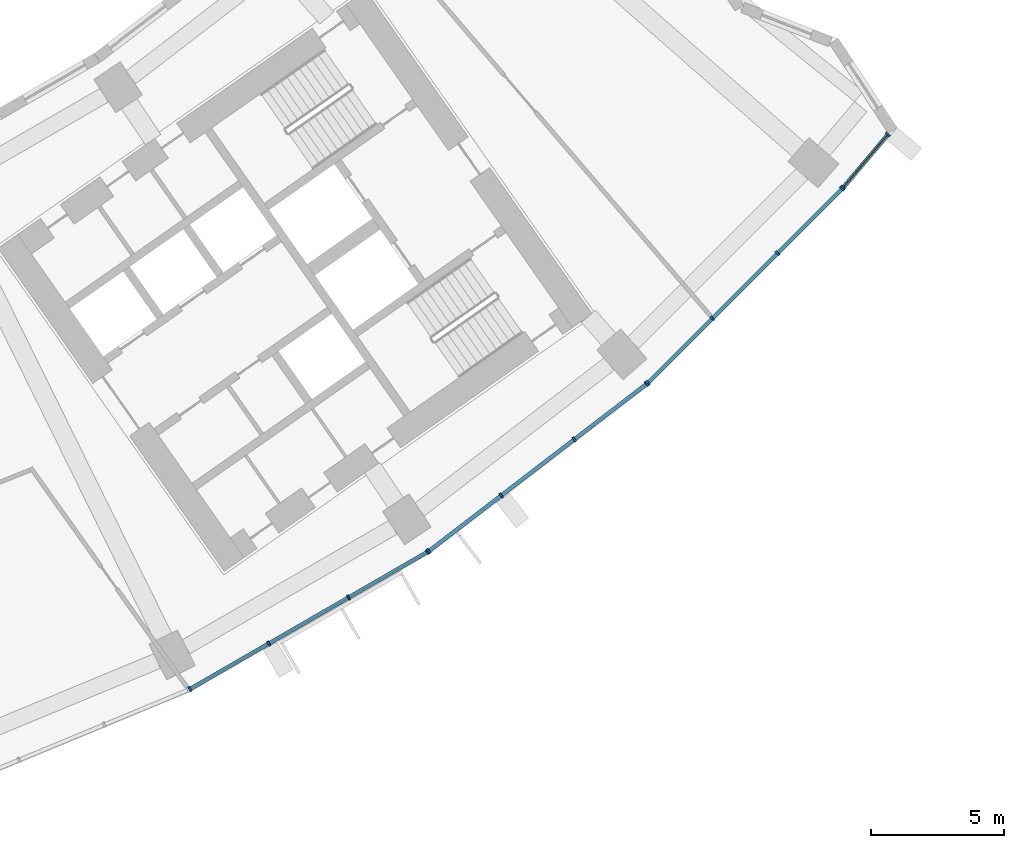
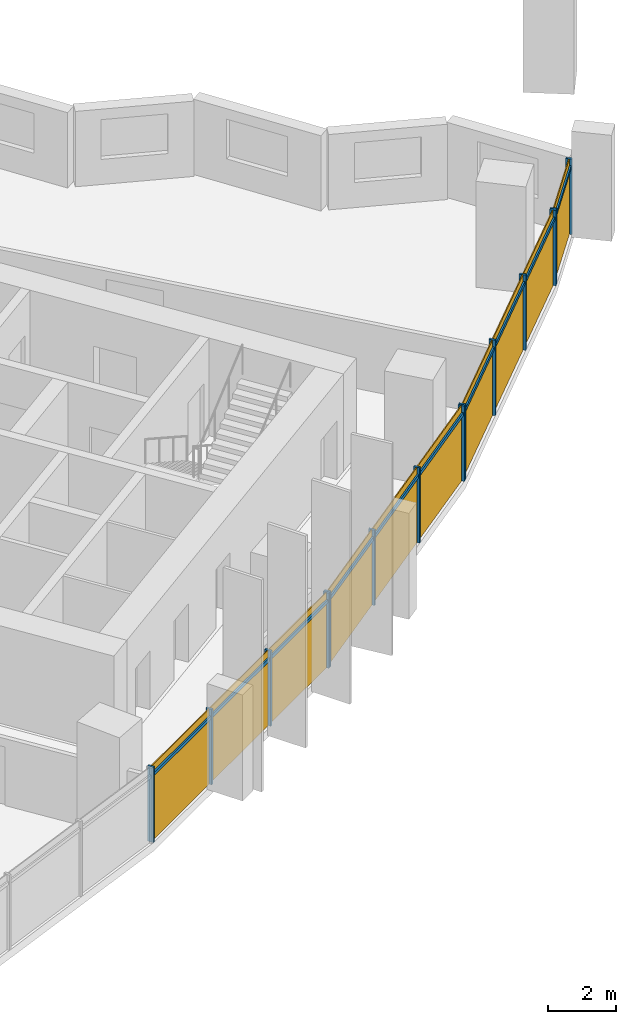
# One storey, part 23 of 30: 24 members, 4 curtain walls.
"""IFC4 building model written with IfcOpenShell, lengths in metres."""

from ifc_helpers import new_model, si_unit, direction, frame, origin, origin_2d, place, context, subcontext, project, spatial, rectangle, extrude, material, material_profile, profile_set, type_object, element, aggregate, save


model = new_model("IFC4")

# Units and contexts
model_context = context("Model", 3, precision=1e-05, world=origin(), true_north=direction((0.0, 1.0)))
body_context = subcontext(model_context, "Body", "Model", "MODEL_VIEW")
ifc_project = project(units=[si_unit("LENGTHUNIT", "METRE"), si_unit("AREAUNIT", "SQUARE_METRE"), si_unit("VOLUMEUNIT", "CUBIC_METRE"), si_unit("PLANEANGLEUNIT", "RADIAN"), si_unit("MASSUNIT", "GRAM", prefix="KILO")], contexts=[model_context])

# Member
ifc_material = material(Name="Aluminium 6063-T6 anodised", Category="aluminium")
ifc_material_profile_1 = material_profile(ifc_material, rectangle(XDim=0.199951171875, YDim=0.070068359375, at=origin_2d()))
ifc_profile_set_1 = profile_set([ifc_material_profile_1], Name="Aluminium 6063-T6 anodised")
member_type_1 = type_object("IfcMemberType", Name="Mullion 70 x 200 aluminium", PredefinedType="MULLION", material=ifc_profile_set_1)
site_placement = place(None, origin())
building_placement = place(site_placement, origin())
storey_placement = place(building_placement, frame((0.0, 0.0, 125.300048828125)))
member_1_placement = place(storey_placement, frame((35.0537109375, -71.017822265625, 0.0), z_axis=(0.0, 0.0, 1.0), x_axis=(-0.5, 0.866025403784, 0.0)))
member_1 = element("IfcMember", 1, at=member_1_placement, type_object=member_type_1, Name="e-cw1-L28-out13/M00", PredefinedType="MULLION", context=body_context, shape_type="SweptSolid", body=[
    extrude(rectangle(XDim=0.199951171875, YDim=0.070068359375, at=origin_2d()), origin(), (0.0, 0.0, 1.0), 2.699951171875),
])

member_2_placement = place(storey_placement, frame((38.017822265625, -69.306640625, 0.0), z_axis=(0.0, 0.0, 1.0), x_axis=(-0.5, 0.866025403784, 0.0)))
member_2 = element("IfcMember", 2, at=member_2_placement, type_object=member_type_1, Name="e-cw1-L28-out13/M01", PredefinedType="MULLION", context=body_context, shape_type="SweptSolid", body=[
    extrude(rectangle(XDim=0.199951171875, YDim=0.070068359375, at=origin_2d()), origin(), (0.0, 0.0, 1.0), 2.699951171875),
])

member_3_placement = place(storey_placement, frame((41.01220703125, -67.577880859375, 0.0), z_axis=(0.0, 0.0, 1.0), x_axis=(-0.5, 0.866025403784, 0.0)))
member_3 = element("IfcMember", 3, at=member_3_placement, type_object=member_type_1, Name="e-cw1-L28-out13/M02", PredefinedType="MULLION", context=body_context, shape_type="SweptSolid", body=[
    extrude(rectangle(XDim=0.199951171875, YDim=0.070068359375, at=origin_2d()), origin(), (0.0, 0.0, 1.0), 2.699951171875),
])

member_4_placement = place(storey_placement, frame((43.976318359375, -65.866455078125, 0.0), z_axis=(0.0, 0.0, 1.0), x_axis=(-0.5, 0.866025403784, 0.0)))
member_4 = element("IfcMember", 4, at=member_4_placement, type_object=member_type_1, Name="e-cw1-L28-out13/M03", PredefinedType="MULLION", context=body_context, shape_type="SweptSolid", body=[
    extrude(rectangle(XDim=0.199951171875, YDim=0.070068359375, at=origin_2d()), origin(), (0.0, 0.0, 1.0), 2.699951171875),
])

member_5_placement = place(storey_placement, frame((44.023681640625, -65.8349609375, 0.0), z_axis=(0.0, 0.0, 1.0), x_axis=(-0.608761429009, 0.793353340291, 0.0)))
member_5 = element("IfcMember", 5, at=member_5_placement, type_object=member_type_1, Name="e-cw1-L28-out14/M00", PredefinedType="MULLION", context=body_context, shape_type="SweptSolid", body=[
    extrude(rectangle(XDim=0.199951171875, YDim=0.070068359375, at=origin_2d()), origin(), (0.0, 0.0, 1.0), 2.699951171875),
])

member_6_placement = place(storey_placement, frame((46.739013671875, -63.751220703125, 0.0), z_axis=(0.0, 0.0, 1.0), x_axis=(-0.608761429009, 0.793353340291, 0.0)))
member_6 = element("IfcMember", 6, at=member_6_placement, type_object=member_type_1, Name="e-cw1-L28-out14/M01", PredefinedType="MULLION", context=body_context, shape_type="SweptSolid", body=[
    extrude(rectangle(XDim=0.199951171875, YDim=0.070068359375, at=origin_2d()), origin(), (0.0, 0.0, 1.0), 2.699951171875),
])

member_7_placement = place(storey_placement, frame((49.482177734375, -61.646484375, 0.0), z_axis=(0.0, 0.0, 1.0), x_axis=(-0.608761429009, 0.793353340291, 0.0)))
member_7 = element("IfcMember", 7, at=member_7_placement, type_object=member_type_1, Name="e-cw1-L28-out14/M02", PredefinedType="MULLION", context=body_context, shape_type="SweptSolid", body=[
    extrude(rectangle(XDim=0.199951171875, YDim=0.070068359375, at=origin_2d()), origin(), (0.0, 0.0, 1.0), 2.699951171875),
])

member_8_placement = place(storey_placement, frame((52.197509765625, -59.56298828125, 0.0), z_axis=(0.0, 0.0, 1.0), x_axis=(-0.608761429009, 0.793353340291, 0.0)))
member_8 = element("IfcMember", 8, at=member_8_placement, type_object=member_type_1, Name="e-cw1-L28-out14/M03", PredefinedType="MULLION", context=body_context, shape_type="SweptSolid", body=[
    extrude(rectangle(XDim=0.199951171875, YDim=0.070068359375, at=origin_2d()), origin(), (0.0, 0.0, 1.0), 2.699951171875),
])

member_9_placement = place(storey_placement, frame((52.240234375, -59.525390625, 0.0), z_axis=(0.0, 0.0, 1.0), x_axis=(-0.707106781187, 0.707106781187, 0.0)))
member_9 = element("IfcMember", 9, at=member_9_placement, type_object=member_type_1, Name="e-cw1-L28-out15/M00", PredefinedType="MULLION", context=body_context, shape_type="SweptSolid", body=[
    extrude(rectangle(XDim=0.199951171875, YDim=0.070068359375, at=origin_2d()), origin(), (0.0, 0.0, 1.0), 2.699951171875),
])

member_10_placement = place(storey_placement, frame((54.660400390625, -57.105224609375, 0.0), z_axis=(0.0, 0.0, 1.0), x_axis=(-0.707106781187, 0.707106781187, 0.0)))
member_10 = element("IfcMember", 10, at=member_10_placement, type_object=member_type_1, Name="e-cw1-L28-out15/M01", PredefinedType="MULLION", context=body_context, shape_type="SweptSolid", body=[
    extrude(rectangle(XDim=0.199951171875, YDim=0.070068359375, at=origin_2d()), origin(), (0.0, 0.0, 1.0), 2.699951171875),
])

member_11_placement = place(storey_placement, frame((57.105224609375, -54.660400390625, 0.0), z_axis=(0.0, 0.0, 1.0), x_axis=(-0.707106781187, 0.707106781187, 0.0)))
member_11 = element("IfcMember", 11, at=member_11_placement, type_object=member_type_1, Name="e-cw1-L28-out15/M02", PredefinedType="MULLION", context=body_context, shape_type="SweptSolid", body=[
    extrude(rectangle(XDim=0.199951171875, YDim=0.070068359375, at=origin_2d()), origin(), (0.0, 0.0, 1.0), 2.699951171875),
])

member_12_placement = place(storey_placement, frame((59.525390625, -52.240234375, 0.0), z_axis=(0.0, 0.0, 1.0), x_axis=(-0.707106781187, 0.707106781187, 0.0)))
member_12 = element("IfcMember", 12, at=member_12_placement, type_object=member_type_1, Name="e-cw1-L28-out15/M03", PredefinedType="MULLION", context=body_context, shape_type="SweptSolid", body=[
    extrude(rectangle(XDim=0.199951171875, YDim=0.070068359375, at=origin_2d()), origin(), (0.0, 0.0, 1.0), 2.699951171875),
])

member_13_placement = place(storey_placement, frame((59.567138671875, -52.19482421875, 0.0), z_axis=(0.0, 0.0, 1.0), x_axis=(-0.764421471614, 0.644716847721, 0.0)))
member_13 = element("IfcMember", 13, at=member_13_placement, type_object=member_type_1, Name="e-cw1-L28-out16/M00", PredefinedType="MULLION", context=body_context, shape_type="SweptSolid", body=[
    extrude(rectangle(XDim=0.199951171875, YDim=0.070068359375, at=origin_2d()), origin(), (0.0, 0.0, 1.0), 2.699951171875),
])

member_14_placement = place(storey_placement, frame((61.24658203125, -50.20361328125, 0.0), z_axis=(0.0, 0.0, 1.0), x_axis=(-0.764421471614, 0.644716847721, 0.0)))
member_14 = element("IfcMember", 14, at=member_14_placement, type_object=member_type_1, Name="e-cw1-L28-out16/M01", PredefinedType="MULLION", context=body_context, shape_type="SweptSolid", body=[
    extrude(rectangle(XDim=0.199951171875, YDim=0.070068359375, at=origin_2d()), origin(), (0.0, 0.0, 1.0), 2.699951171875),
])

ifc_material_profile_2 = material_profile(ifc_material, rectangle(XDim=0.139892578125, YDim=0.1201171875, at=origin_2d()))
ifc_profile_set_2 = profile_set([ifc_material_profile_2], Name="Aluminium 6063-T6 anodised")
member_type_2 = type_object("IfcMemberType", Name="Transom 120 x 140 aluminium", PredefinedType="USERDEFINED", material=ifc_profile_set_2)
member_15_placement = place(storey_placement, frame((35.084228515625, -71.00048828125, 2.39990234375), z_axis=(0.865989120267, 0.50006283963, 0.0), x_axis=(-0.50006283963, 0.865989120267, 0.0)))
member_15 = element("IfcMember", 15, at=member_15_placement, type_object=member_type_2, Name="e-cw1-L28-out13/T00", ObjectType="TRANSOM", PredefinedType="USERDEFINED", context=body_context, shape_type="SweptSolid", body=[
    extrude(rectangle(XDim=0.139892578125, YDim=0.1201171875, at=origin_2d()), origin(), (0.0, 0.0, 1.0), 3.3525390625),
])

member_16_placement = place(storey_placement, frame((38.048095703125, -69.2890625, 2.39990234375), z_axis=(0.866025971257, 0.499999017107, 0.0), x_axis=(-0.499999017107, 0.866025971257, 0.0)))
member_16 = element("IfcMember", 16, at=member_16_placement, type_object=member_type_2, Name="e-cw1-L28-out13/T01", ObjectType="TRANSOM", PredefinedType="USERDEFINED", context=body_context, shape_type="SweptSolid", body=[
    extrude(rectangle(XDim=0.139892578125, YDim=0.1201171875, at=origin_2d()), origin(), (0.0, 0.0, 1.0), 3.3876953125),
])

member_17_placement = place(storey_placement, frame((41.042724609375, -67.560302734375, 2.39990234375), z_axis=(0.866020654818, 0.50000822536, 0.0), x_axis=(-0.50000822536, 0.866020654818, 0.0)))
member_17 = element("IfcMember", 17, at=member_17_placement, type_object=member_type_2, Name="e-cw1-L28-out13/T02", ObjectType="TRANSOM", PredefinedType="USERDEFINED", context=body_context, shape_type="SweptSolid", body=[
    extrude(rectangle(XDim=0.139892578125, YDim=0.1201171875, at=origin_2d()), origin(), (0.0, 0.0, 1.0), 3.3525390625),
])

member_18_placement = place(storey_placement, frame((44.05126953125, -65.8134765625, 2.39990234375), z_axis=(0.793389477316, 0.608714331426, 0.0), x_axis=(-0.608714331426, 0.793389477316, 0.0)))
member_18 = element("IfcMember", 18, at=member_18_placement, type_object=member_type_2, Name="e-cw1-L28-out14/T00", ObjectType="TRANSOM", PredefinedType="USERDEFINED", context=body_context, shape_type="SweptSolid", body=[
    extrude(rectangle(XDim=0.139892578125, YDim=0.1201171875, at=origin_2d()), origin(), (0.0, 0.0, 1.0), 3.3525390625),
])

member_19_placement = place(storey_placement, frame((46.766845703125, -63.72998046875, 2.39990234375), z_axis=(0.793344133173, 0.608773427772, 0.0), x_axis=(-0.608773427772, 0.793344133173, 0.0)))
member_19 = element("IfcMember", 19, at=member_19_placement, type_object=member_type_2, Name="e-cw1-L28-out14/T01", ObjectType="TRANSOM", PredefinedType="USERDEFINED", context=body_context, shape_type="SweptSolid", body=[
    extrude(rectangle(XDim=0.139892578125, YDim=0.1201171875, at=origin_2d()), origin(), (0.0, 0.0, 1.0), 3.387451171875),
])

member_20_placement = place(storey_placement, frame((49.509765625, -61.625244140625, 2.39990234375), z_axis=(0.793354308621, 0.608760167055, 0.0), x_axis=(-0.608760167055, 0.793354308621, 0.0)))
member_20 = element("IfcMember", 20, at=member_20_placement, type_object=member_type_2, Name="e-cw1-L28-out14/T02", ObjectType="TRANSOM", PredefinedType="USERDEFINED", context=body_context, shape_type="SweptSolid", body=[
    extrude(rectangle(XDim=0.139892578125, YDim=0.1201171875, at=origin_2d()), origin(), (0.0, 0.0, 1.0), 3.352783203125),
])

member_21_placement = place(storey_placement, frame((52.264892578125, -59.500732421875, 2.39990234375), z_axis=(0.707106781187, 0.707106781187, 0.0), x_axis=(-0.707106781187, 0.707106781187, 0.0)))
member_21 = element("IfcMember", 21, at=member_21_placement, type_object=member_type_2, Name="e-cw1-L28-out15/T00", ObjectType="TRANSOM", PredefinedType="USERDEFINED", context=body_context, shape_type="SweptSolid", body=[
    extrude(rectangle(XDim=0.139892578125, YDim=0.1201171875, at=origin_2d()), origin(), (0.0, 0.0, 1.0), 3.3525390625),
])

member_22_placement = place(storey_placement, frame((54.68505859375, -57.08056640625, 2.39990234375), z_axis=(0.707106781187, 0.707106781187, 0.0), x_axis=(-0.707106781187, 0.707106781187, 0.0)))
member_22 = element("IfcMember", 22, at=member_22_placement, type_object=member_type_2, Name="e-cw1-L28-out15/T01", ObjectType="TRANSOM", PredefinedType="USERDEFINED", context=body_context, shape_type="SweptSolid", body=[
    extrude(rectangle(XDim=0.139892578125, YDim=0.1201171875, at=origin_2d()), origin(), (0.0, 0.0, 1.0), 3.3876953125),
])

member_23_placement = place(storey_placement, frame((57.130126953125, -54.635498046875, 2.39990234375), z_axis=(0.707106781187, 0.707106781187, 0.0), x_axis=(-0.707106781187, 0.707106781187, 0.0)))
member_23 = element("IfcMember", 23, at=member_23_placement, type_object=member_type_2, Name="e-cw1-L28-out15/T02", ObjectType="TRANSOM", PredefinedType="USERDEFINED", context=body_context, shape_type="SweptSolid", body=[
    extrude(rectangle(XDim=0.139892578125, YDim=0.1201171875, at=origin_2d()), origin(), (0.0, 0.0, 1.0), 3.3525390625),
])

member_24_placement = place(storey_placement, frame((59.589599609375, -52.168212890625, 2.39990234375), z_axis=(0.644663473106, 0.76446648484, 0.0), x_axis=(-0.76446648484, 0.644663473106, 0.0)))
member_24 = element("IfcMember", 24, at=member_24_placement, type_object=member_type_2, Name="e-cw1-L28-out16/T00", ObjectType="TRANSOM", PredefinedType="USERDEFINED", context=body_context, shape_type="SweptSolid", body=[
    extrude(rectangle(XDim=0.139892578125, YDim=0.1201171875, at=origin_2d()), origin(), (0.0, 0.0, 1.0), 2.53515625),
])

# Site, building, storey
site = spatial("IfcSite", under=ifc_project, at=site_placement, CompositionType="ELEMENT")
building = spatial("IfcBuilding", under=site, at=building_placement, Name="Qamariyya Broadcast Tower", CompositionType="ELEMENT")
storey = spatial("IfcBuildingStorey", under=building, at=storey_placement, Name="L28", CompositionType="ELEMENT", Elevation=125.300048828125)

# Curtain wall
curtain_wall_type = type_object("IfcCurtainWallType", Name="Unitised curtain wall, anodised aluminium", PredefinedType="NOTDEFINED", material=ifc_material)
curtain_wall_1_placement = place(storey_placement, origin())
curtain_wall_1 = element("IfcCurtainWall", 25, at=curtain_wall_1_placement, inside=storey, type_object=curtain_wall_type, Name="e-cw1-L28-out13", PredefinedType="NOTDEFINED", context=body_context, shape_type="SweptSolid", body=[
    extrude(rectangle(XDim=3.352783203125, YDim=0.031982421875, at=origin_2d()), frame((36.535888671875, -70.162109375, 0.0), x_axis=(0.866027243369, 0.499996813733, 0.0)), (0.0, 0.0, 1.0), 2.340087890625),
    extrude(rectangle(XDim=3.352783203125, YDim=0.031982421875, at=origin_2d()), frame((36.535888671875, -70.162109375, 2.4599609375), x_axis=(0.866027243369, 0.499996813733, 0.0)), (0.0, 0.0, 1.0), 0.239990234375),
    extrude(rectangle(XDim=3.3876953125, YDim=0.031982421875, at=origin_2d()), frame((39.51513671875, -68.442138671875, 0.0), x_axis=(0.866027243369, 0.499996813733, 0.0)), (0.0, 0.0, 1.0), 2.340087890625),
    extrude(rectangle(XDim=3.3876953125, YDim=0.031982421875, at=origin_2d()), frame((39.51513671875, -68.442138671875, 2.4599609375), x_axis=(0.866027243369, 0.499996813733, 0.0)), (0.0, 0.0, 1.0), 0.239990234375),
    extrude(rectangle(XDim=3.352783203125, YDim=0.031982421875, at=origin_2d()), frame((42.494384765625, -66.72216796875, 0.0), x_axis=(0.866027243369, 0.499996813733, 0.0)), (0.0, 0.0, 1.0), 2.340087890625),
    extrude(rectangle(XDim=3.352783203125, YDim=0.031982421875, at=origin_2d()), frame((42.494384765625, -66.72216796875, 2.4599609375), x_axis=(0.866027243369, 0.499996813733, 0.0)), (0.0, 0.0, 1.0), 0.239990234375),
])

aggregate(curtain_wall_1, [member_1, member_2, member_3, member_4, member_15, member_16, member_17])

curtain_wall_2_placement = place(storey_placement, origin())
curtain_wall_2 = element("IfcCurtainWall", 26, at=curtain_wall_2_placement, inside=storey, type_object=curtain_wall_type, Name="e-cw1-L28-out14", PredefinedType="NOTDEFINED", context=body_context, shape_type="SweptSolid", body=[
    extrude(rectangle(XDim=3.352783203125, YDim=0.031982421875, at=origin_2d()), frame((45.38134765625, -64.793212890625, 0.0), x_axis=(0.793354000839, 0.608760568165, 0.0)), (0.0, 0.0, 1.0), 2.340087890625),
    extrude(rectangle(XDim=3.352783203125, YDim=0.031982421875, at=origin_2d()), frame((45.38134765625, -64.793212890625, 2.4599609375), x_axis=(0.793354000839, 0.608760568165, 0.0)), (0.0, 0.0, 1.0), 0.239990234375),
    extrude(rectangle(XDim=3.3876953125, YDim=0.031982421875, at=origin_2d()), frame((48.110595703125, -62.69873046875, 0.0), x_axis=(0.793354000839, 0.608760568165, 0.0)), (0.0, 0.0, 1.0), 2.340087890625),
    extrude(rectangle(XDim=3.3876953125, YDim=0.031982421875, at=origin_2d()), frame((48.110595703125, -62.69873046875, 2.4599609375), x_axis=(0.793354000839, 0.608760568165, 0.0)), (0.0, 0.0, 1.0), 0.239990234375),
    extrude(rectangle(XDim=3.352783203125, YDim=0.031982421875, at=origin_2d()), frame((50.83984375, -60.6044921875, 0.0), x_axis=(0.793354000839, 0.608760568165, 0.0)), (0.0, 0.0, 1.0), 2.340087890625),
    extrude(rectangle(XDim=3.352783203125, YDim=0.031982421875, at=origin_2d()), frame((50.83984375, -60.6044921875, 2.4599609375), x_axis=(0.793354000839, 0.608760568165, 0.0)), (0.0, 0.0, 1.0), 0.239990234375),
])

aggregate(curtain_wall_2, [member_5, member_6, member_7, member_8, member_18, member_19, member_20])

curtain_wall_3_placement = place(storey_placement, origin())
curtain_wall_3 = element("IfcCurtainWall", 27, at=curtain_wall_3_placement, inside=storey, type_object=curtain_wall_type, Name="e-cw1-L28-out15", PredefinedType="NOTDEFINED", context=body_context, shape_type="SweptSolid", body=[
    extrude(rectangle(XDim=3.352783203125, YDim=0.031982421875, at=origin_2d()), frame((53.4501953125, -58.3154296875, 0.0), x_axis=(0.707106781187, 0.707106781187, 0.0)), (0.0, 0.0, 1.0), 2.340087890625),
    extrude(rectangle(XDim=3.352783203125, YDim=0.031982421875, at=origin_2d()), frame((53.4501953125, -58.3154296875, 2.4599609375), x_axis=(0.707106781187, 0.707106781187, 0.0)), (0.0, 0.0, 1.0), 0.239990234375),
    extrude(rectangle(XDim=3.3876953125, YDim=0.031982421875, at=origin_2d()), frame((55.8828125, -55.8828125, 0.0), x_axis=(0.707106781187, 0.707106781187, 0.0)), (0.0, 0.0, 1.0), 2.340087890625),
    extrude(rectangle(XDim=3.3876953125, YDim=0.031982421875, at=origin_2d()), frame((55.8828125, -55.8828125, 2.4599609375), x_axis=(0.707106781187, 0.707106781187, 0.0)), (0.0, 0.0, 1.0), 0.239990234375),
    extrude(rectangle(XDim=3.352783203125, YDim=0.031982421875, at=origin_2d()), frame((58.3154296875, -53.4501953125, 0.0), x_axis=(0.707106781187, 0.707106781187, 0.0)), (0.0, 0.0, 1.0), 2.340087890625),
    extrude(rectangle(XDim=3.352783203125, YDim=0.031982421875, at=origin_2d()), frame((58.3154296875, -53.4501953125, 2.4599609375), x_axis=(0.707106781187, 0.707106781187, 0.0)), (0.0, 0.0, 1.0), 0.239990234375),
])

aggregate(curtain_wall_3, [member_9, member_10, member_11, member_12, member_21, member_22, member_23])

curtain_wall_4_placement = place(storey_placement, origin())
curtain_wall_4 = element("IfcCurtainWall", 28, at=curtain_wall_4_placement, inside=storey, type_object=curtain_wall_type, Name="e-cw1-L28-out16", PredefinedType="NOTDEFINED", context=body_context, shape_type="SweptSolid", body=[
    extrude(rectangle(XDim=2.53515625, YDim=0.031982421875, at=origin_2d()), frame((60.40673828125, -51.19921875, 0.0), x_axis=(0.64469765925, 0.764437654853, 0.0)), (0.0, 0.0, 1.0), 2.340087890625),
    extrude(rectangle(XDim=2.53515625, YDim=0.031982421875, at=origin_2d()), frame((60.40673828125, -51.19921875, 2.4599609375), x_axis=(0.64469765925, 0.764437654853, 0.0)), (0.0, 0.0, 1.0), 0.239990234375),
])

aggregate(curtain_wall_4, [member_13, member_14, member_24])

save(model, "model.ifc")
